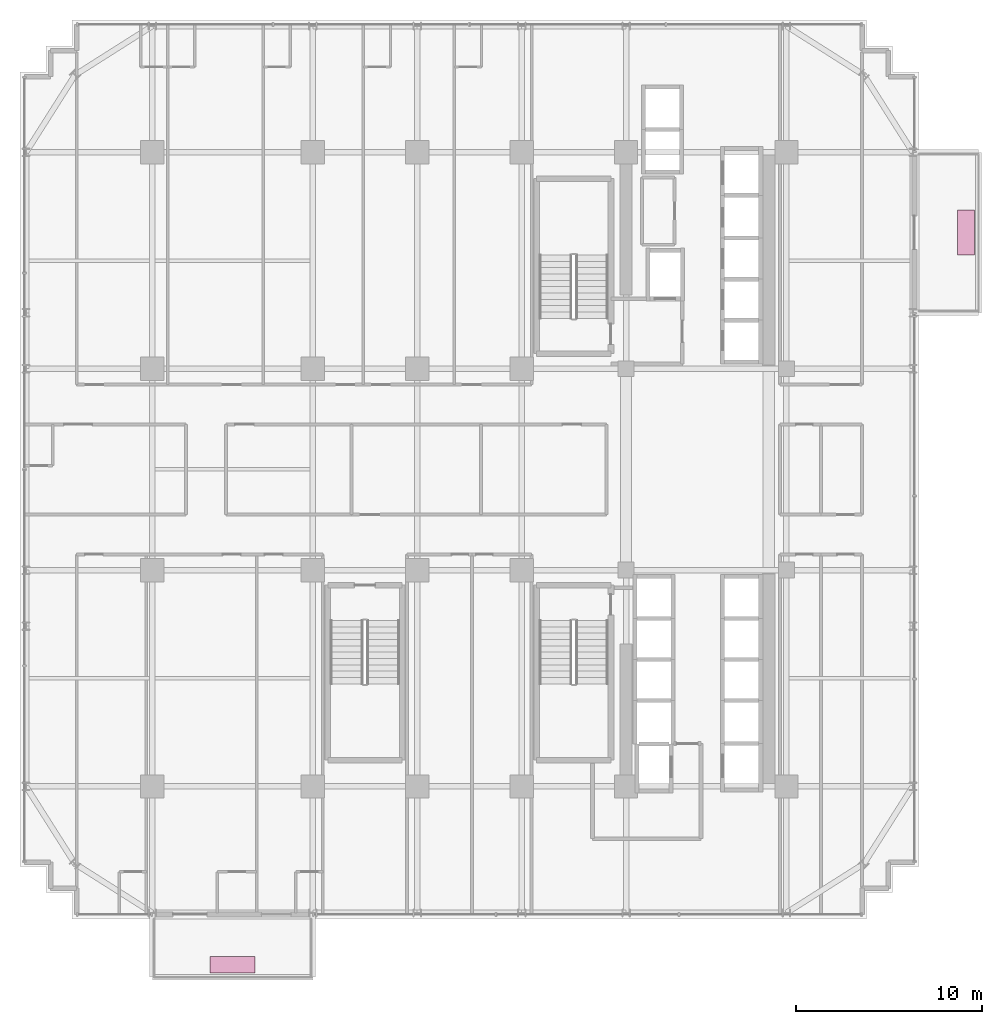
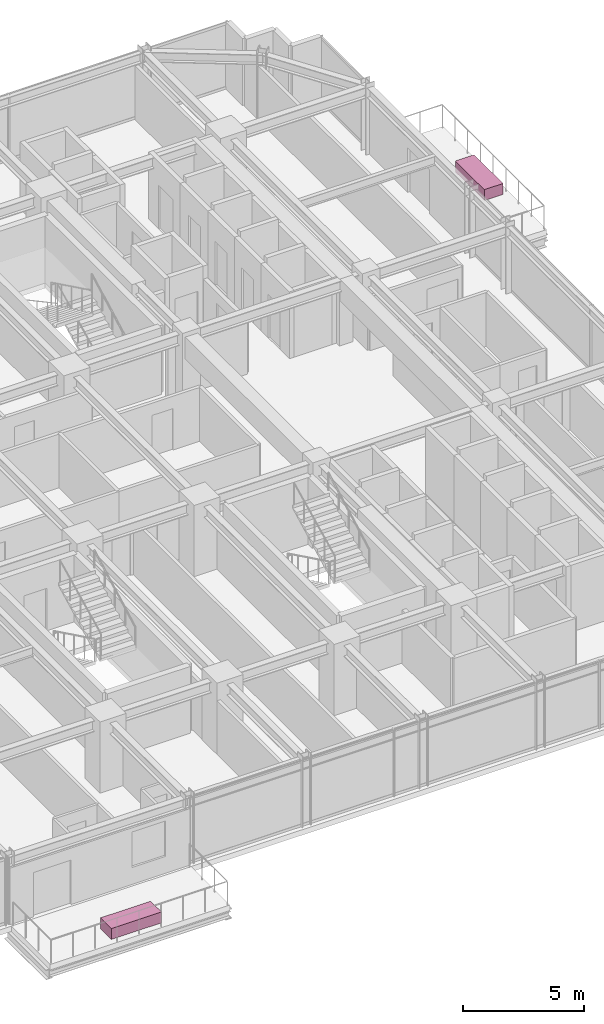
# One storey, part 32 of 32: 2 furnishings.
"""IFC4 building model written with IfcOpenShell, lengths in metres."""

from ifc_helpers import new_model, si_unit, direction, frame, origin, origin_2d, place, context, subcontext, project, spatial, rectangle, extrude, source, transform, mapped, material, type_object, element, save


model = new_model("IFC4")

# Units and contexts
model_context = context("Model", 3, precision=1e-05, world=origin(), true_north=direction((0.0, 1.0)))
body_context = subcontext(model_context, "Body", "Model", "MODEL_VIEW")
ifc_project = project(units=[si_unit("LENGTHUNIT", "METRE"), si_unit("AREAUNIT", "SQUARE_METRE"), si_unit("VOLUMEUNIT", "CUBIC_METRE"), si_unit("PLANEANGLEUNIT", "RADIAN"), si_unit("MASSUNIT", "GRAM", prefix="KILO")], contexts=[model_context])

# Site, building, storey
site_placement = place(None, origin())
site = spatial("IfcSite", under=ifc_project, at=site_placement, CompositionType="ELEMENT")
building_placement = place(site_placement, origin())
building = spatial("IfcBuilding", under=site, at=building_placement, Name="Nahalor Promenade Grand Hotel", CompositionType="ELEMENT")
storey_placement = place(building_placement, frame((0.0, 0.0, 102.89990234375)))
storey = spatial("IfcBuildingStorey", under=building, at=storey_placement, Name="L25", CompositionType="ELEMENT", Elevation=102.89990234375)

# Furnishings
ifc_material = material(Name="Vegetated Volcanic-Lapilli Tree Planter", Category="earth")
furnishing_element_type = type_object("IfcFurnishingElementType", Name="Planter-VerticalForest-Box", material=ifc_material)
shared_shape = source(origin(), body_context, "Body", "SweptSolid", [
    extrude(rectangle(XDim=2.39990234375, YDim=0.89990234375, at=origin_2d()), origin(), (0.0, 0.0, 1.0), 0.550048828125),
])
for number, where, z_axis, x_axis, name in (
    (1, (-12.699951171875, -26.56005859375, 0.0), (0.0, 0.0, 1.0), (1.0, 0.0, 0.0), "L25 Balcony Structural Tree Planter 1"),
    (2, (26.6298828125, 12.699951171875, 0.0), (0.0, 0.0, 1.0), (0.0, 1.0, 0.0), "L25 Balcony Structural Tree Planter 2"),
):
    element("IfcFurnishingElement", number, at=place(storey_placement, frame(where, z_axis=z_axis, x_axis=x_axis)), inside=storey, type_object=furnishing_element_type, Name=name, ObjectType="PLANTER", context=body_context, shape_type="MappedRepresentation", body=[
        mapped(shared_shape, transform((0.0, 0.0, 0.0), scale=1.0)),
    ])

save(model, "model.ifc")
